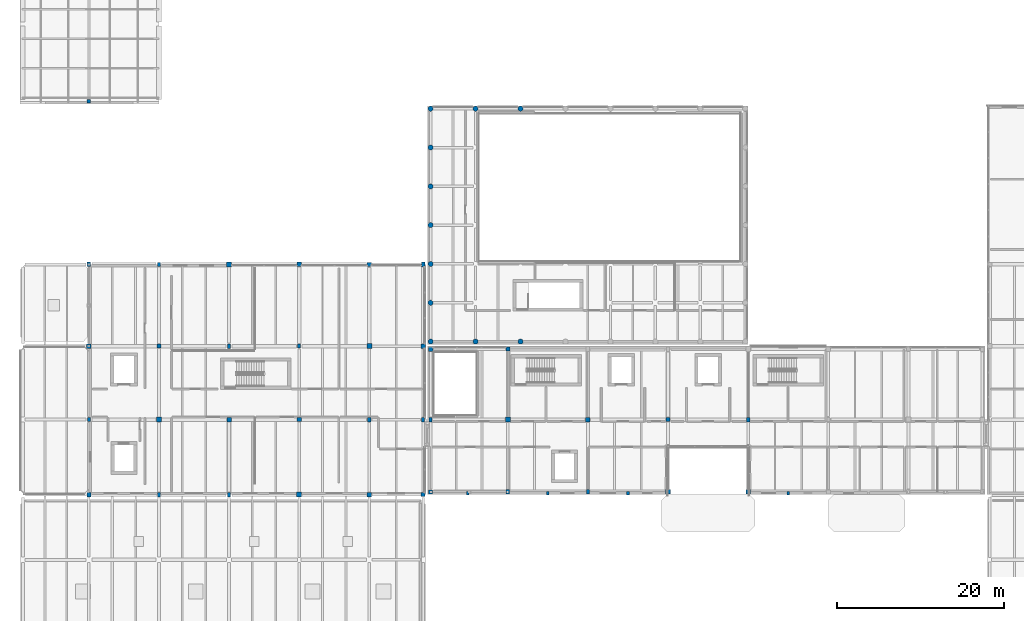
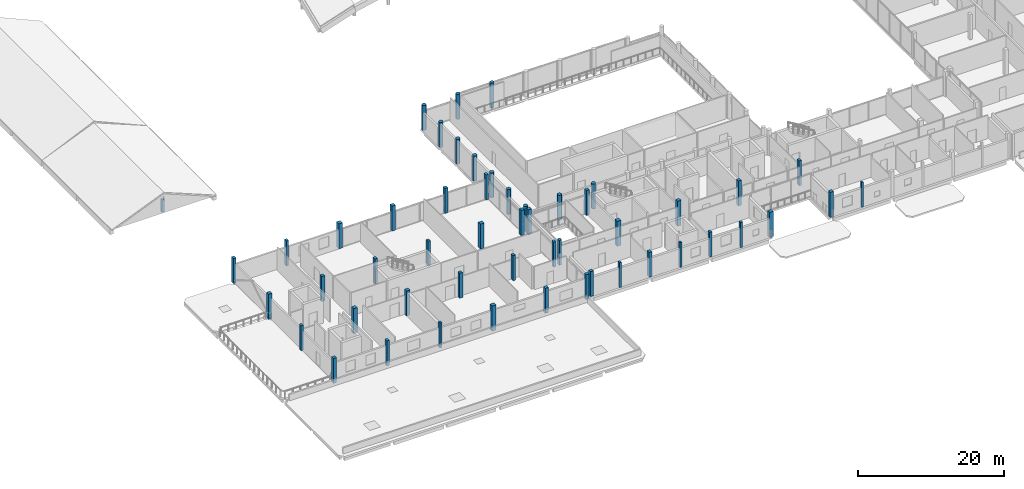
# One storey, part 1 of 66: 52 columns.
"""IFC4 building model written with IfcOpenShell, lengths in metres."""

from ifc_helpers import new_model, si_unit, direction, frame, origin, origin_2d, place, context, subcontext, project, spatial, rectangle, circle, extrude, material, material_profile, profile_set, type_object, element, save


model = new_model("IFC4")

# Units and contexts
model_context = context("Model", 3, precision=1e-05, world=origin(), true_north=direction((0.0, 1.0)))
body_context = subcontext(model_context, "Body", "Model", "MODEL_VIEW")
ifc_project = project(units=[si_unit("LENGTHUNIT", "METRE"), si_unit("AREAUNIT", "SQUARE_METRE"), si_unit("VOLUMEUNIT", "CUBIC_METRE"), si_unit("PLANEANGLEUNIT", "RADIAN"), si_unit("MASSUNIT", "GRAM", prefix="KILO")], contexts=[model_context])

# Site, building, storey
site_placement = place(None, origin())
site = spatial("IfcSite", under=ifc_project, at=site_placement, CompositionType="ELEMENT")
building_placement = place(site_placement, origin())
building = spatial("IfcBuilding", under=site, at=building_placement, Name="Birchvale Park Specialist Clinic", CompositionType="ELEMENT")
storey_placement = place(building_placement, frame((0.0, 0.0, 5.39990234375)))
storey = spatial("IfcBuildingStorey", under=building, at=storey_placement, Name="L01", CompositionType="ELEMENT", Elevation=5.39990234375)

# Columns
ifc_material = material(Name="Concrete C40/50", Category="concrete")
ifc_material_profile_1 = material_profile(ifc_material, rectangle(XDim=0.580078125, YDim=0.580078125, at=origin_2d()), Name="RC-580x580")
ifc_profile_set_1 = profile_set([ifc_material_profile_1], Name="Concrete C40/50")
column_type_1 = type_object("IfcColumnType", Name="COL-EXT-C03", PredefinedType="COLUMN", material=ifc_profile_set_1)
column_1_placement = place(storey_placement, frame((80.60009765625, 17.14990234375, 0.0), z_axis=(0.0, 0.0, 1.0), x_axis=(1.0, 0.0, 0.0)))
element("IfcColumn", 1, at=column_1_placement, inside=storey, type_object=column_type_1, Name="V4 L01 column 10", PredefinedType="COLUMN", context=body_context, shape_type="SweptSolid", body=[
    extrude(rectangle(XDim=0.580078125, YDim=0.580078125, at=origin_2d()), origin(), (0.0, 0.0, 1.0), 4.2001953125),
])
ifc_material_profile_2 = material_profile(ifc_material, rectangle(XDim=0.530029296875, YDim=0.530029296875, at=origin_2d()), Name="RC-530x530")
ifc_profile_set_2 = profile_set([ifc_material_profile_2], Name="Concrete C40/50")
column_type_2 = type_object("IfcColumnType", Name="COL-EXT-C04", PredefinedType="COLUMN", material=ifc_profile_set_2)
for number, where, z_axis, x_axis, name in (
    (2, (51.25, 34.60009765625, 0.0), (0.0, 0.0, 1.0), (1.0, 0.0, 0.0), "V2 L01 column 23"),
    (3, (52.14990234375, 34.25, 0.0), (0.0, 0.0, 1.0), (1.0, 0.0, 0.0), "V4 L01 column 3"),
    (4, (90.199951171875, 17.14990234375, 0.0), (0.0, 0.0, 1.0), (1.0, 0.0, 0.0), "V4 L01 column 13"),
):
    element("IfcColumn", number, at=place(storey_placement, frame(where, z_axis=z_axis, x_axis=x_axis)), inside=storey, type_object=column_type_2, Name=name, PredefinedType="COLUMN", context=body_context, shape_type="SweptSolid", body=[
        extrude(rectangle(XDim=0.530029296875, YDim=0.530029296875, at=origin_2d()), origin(), (0.0, 0.0, 1.0), 4.2001953125),
    ])
ifc_material_profile_3 = material_profile(ifc_material, rectangle(XDim=0.47998046875, YDim=0.47998046875, at=origin_2d()), Name="RC-480x480")
ifc_profile_set_3 = profile_set([ifc_material_profile_3], Name="Concrete C40/50")
column_type_3 = type_object("IfcColumnType", Name="COL-EXT-C05", PredefinedType="COLUMN", material=ifc_profile_set_3)
for number, where, z_axis, x_axis, name in (
    (5, (51.25, 16.800048828125, 0.0), (0.0, 0.0, 1.0), (1.0, 0.0, 0.0), "V2 L01 column 21"),
    (6, (52.14990234375, 17.14990234375, 0.0), (0.0, 0.0, 1.0), (1.0, 0.0, 0.0), "V4 L01 column 1"),
    (7, (61.39990234375, 34.25, 0.0), (0.0, 0.0, 1.0), (1.0, 0.0, 0.0), "V4 L01 column 6"),
):
    element("IfcColumn", number, at=place(storey_placement, frame(where, z_axis=z_axis, x_axis=x_axis)), inside=storey, type_object=column_type_3, Name=name, PredefinedType="COLUMN", context=body_context, shape_type="SweptSolid", body=[
        extrude(rectangle(XDim=0.47998046875, YDim=0.47998046875, at=origin_2d()), origin(), (0.0, 0.0, 1.0), 4.2001953125),
    ])
ifc_material_profile_4 = material_profile(ifc_material, rectangle(XDim=0.419921875, YDim=0.580078125, at=origin_2d()), Name="RC-420x580")
ifc_profile_set_4 = profile_set([ifc_material_profile_4], Name="Concrete C40/50")
column_type_4 = type_object("IfcColumnType", Name="COL-EXT-C10", PredefinedType="COLUMN", material=ifc_profile_set_4)
for number, where, z_axis, x_axis, name in (
    (8, (51.25, 44.39990234375, 0.0), (0.0, 0.0, 1.0), (1.0, 0.0, 0.0), "V2 L01 column 24"),
    (9, (61.39990234375, 17.14990234375, 0.0), (0.0, 0.0, 1.0), (1.0, 0.0, 0.0), "V4 L01 column 4"),
):
    element("IfcColumn", number, at=place(storey_placement, frame(where, z_axis=z_axis, x_axis=x_axis)), inside=storey, type_object=column_type_4, Name=name, PredefinedType="COLUMN", context=body_context, shape_type="SweptSolid", body=[
        extrude(rectangle(XDim=0.419921875, YDim=0.580078125, at=origin_2d()), origin(), (0.0, 0.0, 1.0), 4.2001953125),
    ])
ifc_material_profile_5 = material_profile(ifc_material, rectangle(XDim=0.3701171875, YDim=0.52001953125, at=origin_2d()), Name="RC-370x520")
ifc_profile_set_5 = profile_set([ifc_material_profile_5], Name="Concrete C40/50")
column_type_5 = type_object("IfcColumnType", Name="COL-EXT-C11", PredefinedType="COLUMN", material=ifc_profile_set_5)
for number, where, z_axis, x_axis, name in (
    (10, (51.25, 25.800048828125, 0.0), (0.0, 0.0, 1.0), (1.0, 0.0, 0.0), "V2 L01 column 22"),
    (11, (52.14990234375, 25.800048828125, 0.0), (0.0, 0.0, 1.0), (1.0, 0.0, 0.0), "V4 L01 column 2"),
    (12, (71.0, 17.14990234375, 0.0), (0.0, 0.0, 1.0), (1.0, 0.0, 0.0), "V4 L01 column 7"),
):
    element("IfcColumn", number, at=place(storey_placement, frame(where, z_axis=z_axis, x_axis=x_axis)), inside=storey, type_object=column_type_5, Name=name, PredefinedType="COLUMN", context=body_context, shape_type="SweptSolid", body=[
        extrude(rectangle(XDim=0.3701171875, YDim=0.52001953125, at=origin_2d()), origin(), (0.0, 0.0, 1.0), 4.2001953125),
    ])
ifc_material_profile_6 = material_profile(ifc_material, circle(Radius=0.31005859375, at=origin_2d()), Name="RCC-620")
ifc_profile_set_6 = profile_set([ifc_material_profile_6], Name="Concrete C40/50")
column_type_6 = type_object("IfcColumnType", Name="COL-EXT-CC1", PredefinedType="COLUMN", material=ifc_profile_set_6)
for number, where, z_axis, x_axis, name in (
    (13, (52.14990234375, 35.14990234375, 0.0), (0.0, 0.0, 1.0), (1.0, 0.0, 0.0), "V1 L01 column 1"),
    (14, (52.14990234375, 39.800048828125, 0.0), (0.0, 0.0, 1.0), (1.0, 0.0, 0.0), "V1 L01 column 2"),
    (15, (52.14990234375, 44.449951171875, 0.0), (0.0, 0.0, 1.0), (1.0, 0.0, 0.0), "V1 L01 column 3"),
    (16, (52.14990234375, 49.10009765625, 0.0), (0.0, 0.0, 1.0), (1.0, 0.0, 0.0), "V1 L01 column 4"),
    (17, (52.14990234375, 53.75, 0.0), (0.0, 0.0, 1.0), (1.0, 0.0, 0.0), "V1 L01 column 5"),
    (18, (52.14990234375, 58.39990234375, 0.0), (0.0, 0.0, 1.0), (1.0, 0.0, 0.0), "V1 L01 column 6"),
    (19, (52.14990234375, 63.050048828125, 0.0), (0.0, 0.0, 1.0), (1.0, 0.0, 0.0), "V1 L01 column 7"),
    (20, (57.53564453125, 35.14990234375, 0.0), (0.0, 0.0, 1.0), (1.0, 0.0, 0.0), "V1 L01 column 8"),
    (21, (57.53564453125, 63.050048828125, 0.0), (0.0, 0.0, 1.0), (1.0, 0.0, 0.0), "V1 L01 column 9"),
    (22, (62.92138671875, 35.14990234375, 0.0), (0.0, 0.0, 1.0), (1.0, 0.0, 0.0), "V1 L01 column 10"),
    (23, (62.92138671875, 63.050048828125, 0.0), (0.0, 0.0, 1.0), (1.0, 0.0, 0.0), "V1 L01 column 11"),
):
    element("IfcColumn", number, at=place(storey_placement, frame(where, z_axis=z_axis, x_axis=x_axis)), inside=storey, type_object=column_type_6, Name=name, PredefinedType="COLUMN", context=body_context, shape_type="SweptSolid", body=[
        extrude(circle(Radius=0.31005859375, at=origin_2d()), origin(), (0.0, 0.0, 1.0), 4.2001953125),
    ])
ifc_material_profile_7 = material_profile(ifc_material, rectangle(XDim=0.60009765625, YDim=0.60009765625, at=origin_2d()), Name="RC-600x600")
ifc_profile_set_7 = profile_set([ifc_material_profile_7], Name="Concrete C40/50")
column_type_7 = type_object("IfcColumnType", Name="COL-INT-C03", PredefinedType="COLUMN", material=ifc_profile_set_7)
for number, where, z_axis, x_axis, name in (
    (24, (19.60009765625, 25.800048828125, 0.0), (0.0, 0.0, 1.0), (1.0, 0.0, 0.0), "V2 L01 column 6"),
    (25, (28.0, 44.39990234375, 0.0), (0.0, 0.0, 1.0), (1.0, 0.0, 0.0), "V2 L01 column 12"),
    (26, (36.39990234375, 16.800048828125, 0.0), (0.0, 0.0, 1.0), (1.0, 0.0, 0.0), "V2 L01 column 13"),
    (27, (44.800048828125, 34.60009765625, 0.0), (0.0, 0.0, 1.0), (1.0, 0.0, 0.0), "V2 L01 column 19"),
    (28, (61.39990234375, 25.800048828125, 0.0), (0.0, 0.0, 1.0), (1.0, 0.0, 0.0), "V4 L01 column 5"),
):
    element("IfcColumn", number, at=place(storey_placement, frame(where, z_axis=z_axis, x_axis=x_axis)), inside=storey, type_object=column_type_7, Name=name, PredefinedType="COLUMN", context=body_context, shape_type="SweptSolid", body=[
        extrude(rectangle(XDim=0.60009765625, YDim=0.60009765625, at=origin_2d()), origin(), (0.0, 0.0, 1.0), 4.2001953125),
    ])
ifc_material_profile_8 = material_profile(ifc_material, rectangle(XDim=0.550048828125, YDim=0.550048828125, at=origin_2d()), Name="RC-550x550")
ifc_profile_set_8 = profile_set([ifc_material_profile_8], Name="Concrete C40/50")
column_type_8 = type_object("IfcColumnType", Name="COL-INT-C04", PredefinedType="COLUMN", material=ifc_profile_set_8)
for number, where, z_axis, x_axis, name in (
    (29, (11.199951171875, 34.60009765625, 0.0), (0.0, 0.0, 1.0), (1.0, 0.0, 0.0), "V2 L01 column 3"),
    (30, (28.0, 25.800048828125, 0.0), (0.0, 0.0, 1.0), (1.0, 0.0, 0.0), "V2 L01 column 10"),
    (31, (36.39990234375, 44.39990234375, 0.0), (0.0, 0.0, 1.0), (1.0, 0.0, 0.0), "V2 L01 column 16"),
    (32, (44.800048828125, 16.800048828125, 0.0), (0.0, 0.0, 1.0), (1.0, 0.0, 0.0), "V2 L01 column 17"),
    (33, (71.0, 25.800048828125, 0.0), (0.0, 0.0, 1.0), (1.0, 0.0, 0.0), "V4 L01 column 8"),
):
    element("IfcColumn", number, at=place(storey_placement, frame(where, z_axis=z_axis, x_axis=x_axis)), inside=storey, type_object=column_type_8, Name=name, PredefinedType="COLUMN", context=body_context, shape_type="SweptSolid", body=[
        extrude(rectangle(XDim=0.550048828125, YDim=0.550048828125, at=origin_2d()), origin(), (0.0, 0.0, 1.0), 4.2001953125),
    ])
ifc_material_profile_9 = material_profile(ifc_material, rectangle(XDim=0.5, YDim=0.5, at=origin_2d()), Name="RC-500x500")
ifc_profile_set_9 = profile_set([ifc_material_profile_9], Name="Concrete C40/50")
column_type_9 = type_object("IfcColumnType", Name="COL-INT-C05", PredefinedType="COLUMN", material=ifc_profile_set_9)
for number, where, z_axis, x_axis, name in (
    (34, (11.199951171875, 16.800048828125, 0.0), (0.0, 0.0, 1.0), (1.0, 0.0, 0.0), "V2 L01 column 1"),
    (35, (19.60009765625, 34.60009765625, 0.0), (0.0, 0.0, 1.0), (1.0, 0.0, 0.0), "V2 L01 column 7"),
    (36, (36.39990234375, 25.800048828125, 0.0), (0.0, 0.0, 1.0), (1.0, 0.0, 0.0), "V2 L01 column 14"),
    (37, (44.800048828125, 44.39990234375, 0.0), (0.0, 0.0, 1.0), (1.0, 0.0, 0.0), "V2 L01 column 20"),
    (38, (80.60009765625, 25.800048828125, 0.0), (0.0, 0.0, 1.0), (1.0, 0.0, 0.0), "V4 L01 column 11"),
):
    element("IfcColumn", number, at=place(storey_placement, frame(where, z_axis=z_axis, x_axis=x_axis)), inside=storey, type_object=column_type_9, Name=name, PredefinedType="COLUMN", context=body_context, shape_type="SweptSolid", body=[
        extrude(rectangle(XDim=0.5, YDim=0.5, at=origin_2d()), origin(), (0.0, 0.0, 1.0), 4.2001953125),
    ])
ifc_material_profile_10 = material_profile(ifc_material, rectangle(XDim=0.39990234375, YDim=0.39990234375, at=origin_2d()), Name="RC-400x400")
ifc_profile_set_10 = profile_set([ifc_material_profile_10], Name="Concrete C40/50")
column_type_10 = type_object("IfcColumnType", Name="COL-INT-C07", PredefinedType="COLUMN", material=ifc_profile_set_10)
column_2_placement = place(storey_placement, frame((11.199951171875, 63.949951171875, 0.0), z_axis=(0.0, 0.0, 1.0), x_axis=(1.0, 0.0, 0.0)))
element("IfcColumn", 39, at=column_2_placement, inside=storey, type_object=column_type_10, Name="L01 west pavilion ridge column 1", PredefinedType="COLUMN", context=body_context, shape_type="SweptSolid", body=[
    extrude(rectangle(XDim=0.39990234375, YDim=0.39990234375, at=origin_2d()), origin(), (0.0, 0.0, 1.0), 2.1630859375),
])
ifc_material_profile_11 = material_profile(ifc_material, rectangle(XDim=0.39990234375, YDim=0.550048828125, at=origin_2d()), Name="RC-400x550")
ifc_profile_set_11 = profile_set([ifc_material_profile_11], Name="Concrete C40/50")
column_type_11 = type_object("IfcColumnType", Name="COL-INT-C10", PredefinedType="COLUMN", material=ifc_profile_set_11)
for number, where, z_axis, x_axis, name in (
    (40, (11.199951171875, 44.39990234375, 0.0), (0.0, 0.0, 1.0), (1.0, 0.0, 0.0), "V2 L01 column 4"),
    (41, (19.60009765625, 16.800048828125, 0.0), (0.0, 0.0, 1.0), (1.0, 0.0, 0.0), "V2 L01 column 5"),
    (42, (28.0, 34.60009765625, 0.0), (0.0, 0.0, 1.0), (1.0, 0.0, 0.0), "V2 L01 column 11"),
    (43, (44.800048828125, 25.800048828125, 0.0), (0.0, 0.0, 1.0), (1.0, 0.0, 0.0), "V2 L01 column 18"),
    (44, (90.199951171875, 25.800048828125, 0.0), (0.0, 0.0, 1.0), (1.0, 0.0, 0.0), "V4 L01 column 14"),
):
    element("IfcColumn", number, at=place(storey_placement, frame(where, z_axis=z_axis, x_axis=x_axis)), inside=storey, type_object=column_type_11, Name=name, PredefinedType="COLUMN", context=body_context, shape_type="SweptSolid", body=[
        extrude(rectangle(XDim=0.39990234375, YDim=0.550048828125, at=origin_2d()), origin(), (0.0, 0.0, 1.0), 4.2001953125),
    ])
ifc_material_profile_12 = material_profile(ifc_material, rectangle(XDim=0.35009765625, YDim=0.5, at=origin_2d()), Name="RC-350x500")
ifc_profile_set_12 = profile_set([ifc_material_profile_12], Name="Concrete C40/50")
column_type_12 = type_object("IfcColumnType", Name="COL-INT-C11", PredefinedType="COLUMN", material=ifc_profile_set_12)
for number, where, z_axis, x_axis, name in (
    (45, (11.199951171875, 25.800048828125, 0.0), (0.0, 0.0, 1.0), (1.0, 0.0, 0.0), "V2 L01 column 2"),
    (46, (19.60009765625, 44.39990234375, 0.0), (0.0, 0.0, 1.0), (1.0, 0.0, 0.0), "V2 L01 column 8"),
    (47, (28.0, 16.800048828125, 0.0), (0.0, 0.0, 1.0), (1.0, 0.0, 0.0), "V2 L01 column 9"),
    (48, (36.39990234375, 34.60009765625, 0.0), (0.0, 0.0, 1.0), (1.0, 0.0, 0.0), "V2 L01 column 15"),
):
    element("IfcColumn", number, at=place(storey_placement, frame(where, z_axis=z_axis, x_axis=x_axis)), inside=storey, type_object=column_type_12, Name=name, PredefinedType="COLUMN", context=body_context, shape_type="SweptSolid", body=[
        extrude(rectangle(XDim=0.35009765625, YDim=0.5, at=origin_2d()), origin(), (0.0, 0.0, 1.0), 4.2001953125),
    ])
ifc_material_profile_13 = material_profile(ifc_material, rectangle(XDim=0.320068359375, YDim=0.43994140625, at=origin_2d()), Name="PIL-320x440")
ifc_profile_set_13 = profile_set([ifc_material_profile_13], Name="Concrete C40/50")
column_type_13 = type_object("IfcColumnType", Name="PIL-PL1", PredefinedType="PILASTER", material=ifc_profile_set_13)
for number, where, z_axis, x_axis, name in (
    (49, (56.60009765625, 16.969970703125, 0.0), (0.0, 0.0, 1.0), (1.0, 0.0, 0.0), "V4 L01 facade pilaster 2"),
    (50, (75.800048828125, 16.969970703125, 0.0), (0.0, 0.0, 1.0), (1.0, 0.0, 0.0), "V4 L01 facade pilaster 9"),
):
    element("IfcColumn", number, at=place(storey_placement, frame(where, z_axis=z_axis, x_axis=x_axis)), inside=storey, type_object=column_type_13, Name=name, PredefinedType="PILASTER", context=body_context, shape_type="SweptSolid", body=[
        extrude(rectangle(XDim=0.320068359375, YDim=0.43994140625, at=origin_2d()), origin(), (0.0, 0.0, 1.0), 4.2001953125),
    ])
ifc_material_profile_14 = material_profile(ifc_material, rectangle(XDim=0.280029296875, YDim=0.3798828125, at=origin_2d()), Name="PIL-280x380")
ifc_profile_set_14 = profile_set([ifc_material_profile_14], Name="Concrete C40/50")
column_type_14 = type_object("IfcColumnType", Name="PIL-PL2", PredefinedType="PILASTER", material=ifc_profile_set_14)
for number, where, z_axis, x_axis, name in (
    (51, (66.199951171875, 16.969970703125, 0.0), (0.0, 0.0, 1.0), (1.0, 0.0, 0.0), "V4 L01 facade pilaster 5"),
    (52, (95.0, 16.969970703125, 0.0), (0.0, 0.0, 1.0), (1.0, 0.0, 0.0), "V4 L01 facade pilaster 13"),
):
    element("IfcColumn", number, at=place(storey_placement, frame(where, z_axis=z_axis, x_axis=x_axis)), inside=storey, type_object=column_type_14, Name=name, PredefinedType="PILASTER", context=body_context, shape_type="SweptSolid", body=[
        extrude(rectangle(XDim=0.280029296875, YDim=0.3798828125, at=origin_2d()), origin(), (0.0, 0.0, 1.0), 4.2001953125),
    ])

save(model, "model.ifc")
